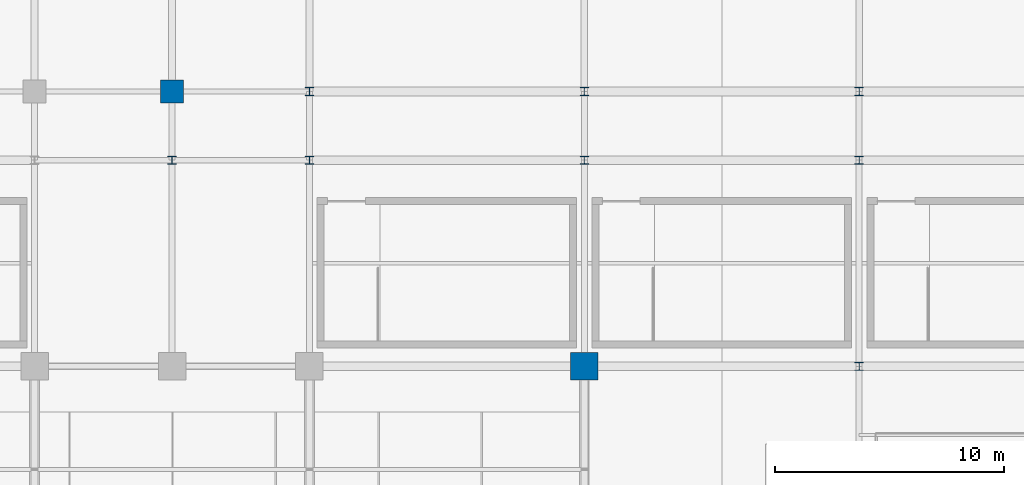
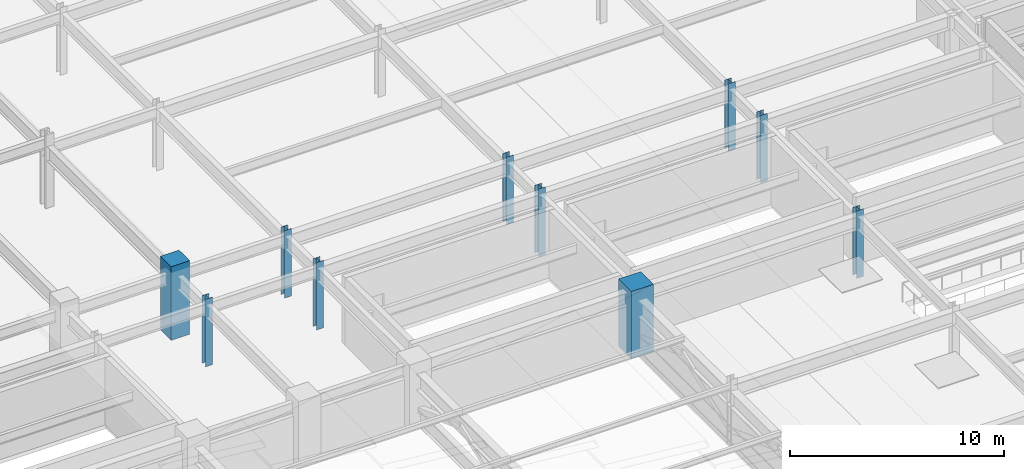
# One storey, part 12 of 108: 10 columns.
"""IFC4 building model written with IfcOpenShell, lengths in metres."""

from ifc_helpers import new_model, si_unit, direction, frame, origin, origin_2d, place, context, subcontext, project, spatial, rectangle, i_section, extrude, material, material_profile, profile_set, type_object, element, save


model = new_model("IFC4")

# Units and contexts
model_context = context("Model", 3, precision=1e-05, world=origin(), true_north=direction((0.0, 1.0)))
body_context = subcontext(model_context, "Body", "Model", "MODEL_VIEW")
ifc_project = project(units=[si_unit("LENGTHUNIT", "METRE"), si_unit("AREAUNIT", "SQUARE_METRE"), si_unit("VOLUMEUNIT", "CUBIC_METRE"), si_unit("PLANEANGLEUNIT", "RADIAN"), si_unit("MASSUNIT", "GRAM", prefix="KILO")], contexts=[model_context])

# Site, building, storey
site_placement = place(None, origin())
site = spatial("IfcSite", under=ifc_project, at=site_placement, CompositionType="ELEMENT")
building_placement = place(site_placement, origin())
building = spatial("IfcBuilding", under=site, at=building_placement, Name="Kaldorvane Square Convention Centre", CompositionType="ELEMENT")
storey_placement = place(building_placement, frame((0.0, 0.0, 23.399993896484375)))
storey = spatial("IfcBuildingStorey", under=building, at=storey_placement, Name="L04", CompositionType="ELEMENT", Elevation=23.399993896484375)

# Columns
ifc_material_1 = material(Name="Concrete f'c = 55 MPa (Normalweight)", Category="concrete")
ifc_material_profile_1 = material_profile(ifc_material_1, rectangle(XDim=1.1999969482421875, YDim=1.1999969482421875, at=origin_2d()), Name="RC1200X1200")
ifc_profile_set_1 = profile_set([ifc_material_profile_1], Name="Concrete f'c = 55 MPa (Normalweight)")
column_type_1 = type_object("IfcColumnType", Name="COL-MEGA-1200", PredefinedType="COLUMN", material=ifc_profile_set_1)
column_1_placement = place(storey_placement, frame((114.0, 72.0, 0.0), z_axis=(0.0, 0.0, 1.0), x_axis=(1.0, 0.0, 0.0)))
element("IfcColumn", 1, at=column_1_placement, inside=storey, type_object=column_type_1, Name="Column MC-02 (L04)", PredefinedType="COLUMN", context=body_context, shape_type="SweptSolid", body=[
    extrude(rectangle(XDim=1.1999969482421875, YDim=1.1999969482421875, at=origin_2d()), origin(), (0.0, 0.0, 1.0), 3.850006103515625),
])
ifc_material_profile_2 = material_profile(ifc_material_1, rectangle(XDim=1.0, YDim=1.0, at=origin_2d()), Name="RC1000X1000")
ifc_profile_set_2 = profile_set([ifc_material_profile_2], Name="Concrete f'c = 55 MPa (Normalweight)")
column_type_2 = type_object("IfcColumnType", Name="COL-RC-1000", PredefinedType="COLUMN", material=ifc_profile_set_2)
column_2_placement = place(storey_placement, frame((96.0, 84.0, 0.0), z_axis=(0.0, 0.0, 1.0), x_axis=(1.0, 0.0, 0.0)))
element("IfcColumn", 2, at=column_2_placement, inside=storey, type_object=column_type_2, Name="Column CC-02 (L04)", PredefinedType="COLUMN", context=body_context, shape_type="SweptSolid", body=[
    extrude(rectangle(XDim=1.0, YDim=1.0, at=origin_2d()), origin(), (0.0, 0.0, 1.0), 4.20001220703125),
])
ifc_material_2 = material(Name="Steel ASTM A992 Gr. 50", Category="steel")
ifc_material_profile_3 = material_profile(ifc_material_2, i_section(OverallWidth=0.3701019287109375, OverallDepth=0.360198974609375, WebThickness=0.012298583984375, FlangeThickness=0.019805908203125, FilletRadius=0.0305023193359375, at=origin_2d()), Name="W14X99")
ifc_profile_set_3 = profile_set([ifc_material_profile_3], Name="Steel ASTM A992 Gr. 50")
column_type_3 = type_object("IfcColumnType", Name="COL-STL-99", PredefinedType="COLUMN", material=ifc_profile_set_3)
for number, where, z_axis, x_axis, name in (
    (3, (96.0, 81.0, 0.0), (0.0, 0.0, 1.0), (1.0, 0.0, 0.0), "Column SC-12 (L04)"),
    (4, (102.0, 81.0, 0.0), (0.0, 0.0, 1.0), (1.0, 0.0, 0.0), "Column SC-12 (L04)"),
    (5, (102.0, 84.0, 0.0), (0.0, 0.0, 1.0), (1.0, 0.0, 0.0), "Column SC-12 (L04)"),
    (6, (114.0, 81.0, 0.0), (0.0, 0.0, 1.0), (1.0, 0.0, 0.0), "Column SC-12 (L04)"),
    (7, (114.0, 84.0, 0.0), (0.0, 0.0, 1.0), (1.0, 0.0, 0.0), "Column SC-12 (L04)"),
    (8, (126.0, 72.0, 0.0), (0.0, 0.0, 1.0), (1.0, 0.0, 0.0), "Column SC-12 (L04)"),
    (9, (126.0, 81.0, 0.0), (0.0, 0.0, 1.0), (1.0, 0.0, 0.0), "Column SC-12 (L04)"),
    (10, (126.0, 84.0, 0.0), (0.0, 0.0, 1.0), (1.0, 0.0, 0.0), "Column SC-12 (L04)"),
):
    element("IfcColumn", number, at=place(storey_placement, frame(where, z_axis=z_axis, x_axis=x_axis)), inside=storey, type_object=column_type_3, Name=name, PredefinedType="COLUMN", context=body_context, shape_type="SweptSolid", body=[
        extrude(i_section(OverallWidth=0.3701019287109375, OverallDepth=0.360198974609375, WebThickness=0.012298583984375, FlangeThickness=0.019805908203125, FilletRadius=0.0305023193359375, at=origin_2d()), origin(), (0.0, 0.0, 1.0), 3.850006103515625),
    ])

save(model, "model.ifc")
